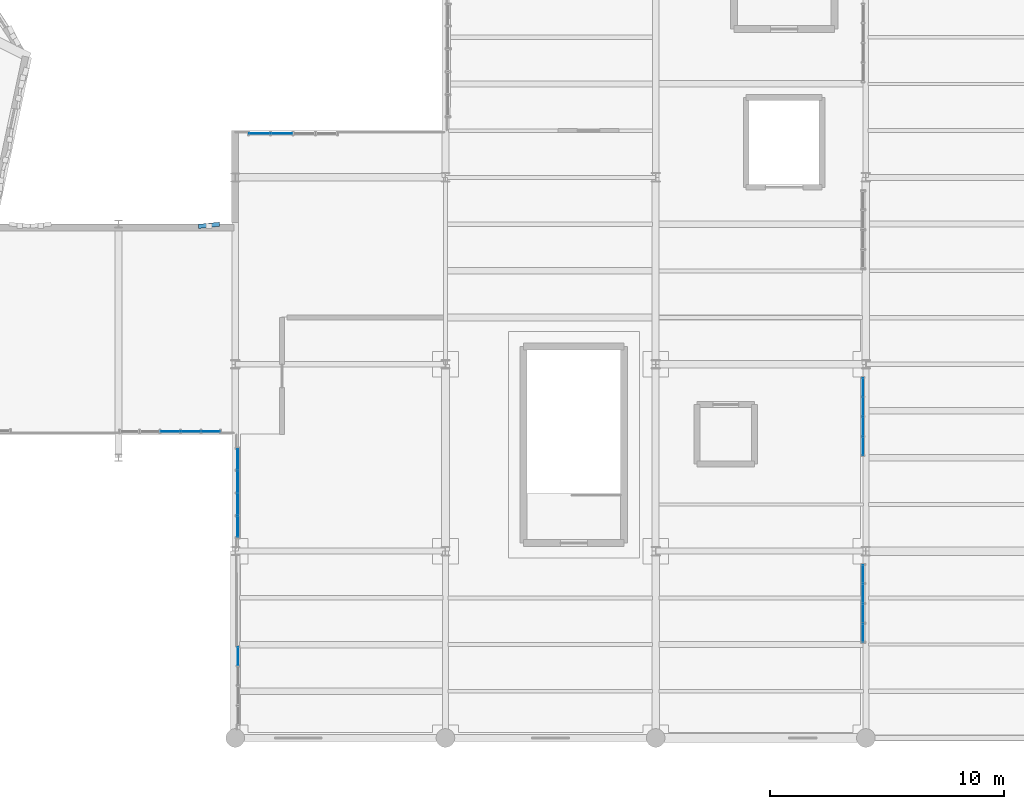
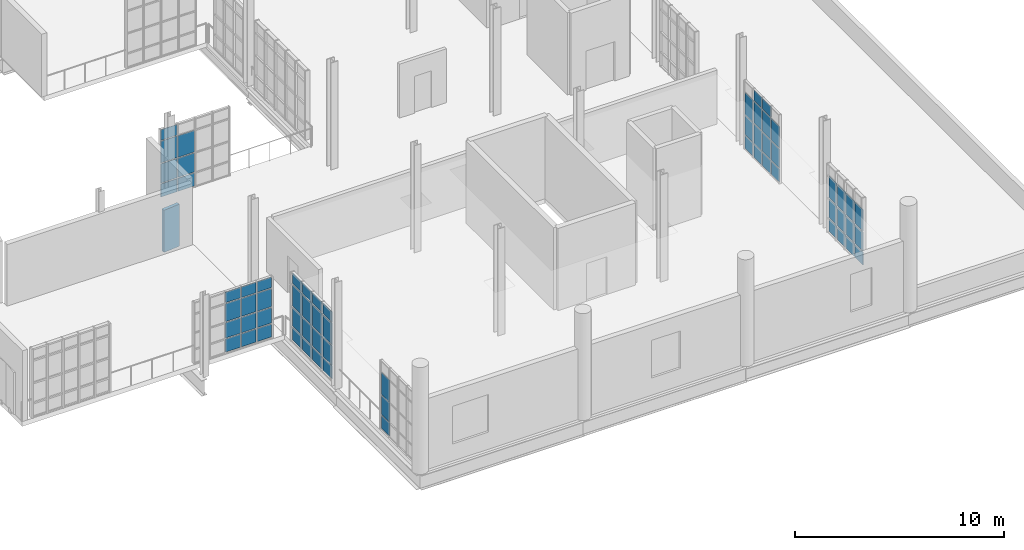
# One storey, part 90 of 118: 65 plates, 6 elements without a shape of their own.
"""IFC4 building model written with IfcOpenShell, lengths in metres."""

from ifc_helpers import new_model, si_unit, direction, frame, frame_2d, origin, origin_2d, place, context, subcontext, project, spatial, rectangle, extrude, material, layer, layer_set, type_object, element, aggregate, save


model = new_model("IFC4")

# Units and contexts
model_context = context("Model", 3, precision=1e-05, world=origin(), true_north=direction((0.0, 1.0)))
body_context = subcontext(model_context, "Body", "Model", "MODEL_VIEW")
ifc_project = project(units=[si_unit("LENGTHUNIT", "METRE"), si_unit("AREAUNIT", "SQUARE_METRE"), si_unit("VOLUMEUNIT", "CUBIC_METRE"), si_unit("PLANEANGLEUNIT", "RADIAN"), si_unit("MASSUNIT", "GRAM", prefix="KILO"), si_unit("THERMODYNAMICTEMPERATUREUNIT", "KELVIN"), si_unit("POWERUNIT", "WATT")], contexts=[model_context])

# Site, building, storey
site_placement = place(None, origin())
site = spatial("IfcSite", under=ifc_project, at=site_placement, CompositionType="ELEMENT")
building_placement = place(site_placement, origin())
building = spatial("IfcBuilding", under=site, at=building_placement, Name="Zelmaris Science Centre", CompositionType="ELEMENT")
storey_placement = place(building_placement, frame((0.0, 0.0, 15.60009765625)))
storey = spatial("IfcBuildingStorey", under=building, at=storey_placement, Name="L03", CompositionType="ELEMENT", Elevation=15.60009765625)

# Curtain wall, plates
ifc_material_1 = material(Name="Anodised architectural aluminium 6063-T6", Category="aluminium")
ifc_layer_1 = layer(ifc_material_1, 0.199951171875, Name="Anodised architectural aluminium 6063-T6")
ifc_layer_set_1 = layer_set([ifc_layer_1], Name="Anodised architectural aluminium 6063-T6")
curtain_wall_type_1 = type_object("IfcCurtainWallType", Name="Curtain Wall CW-02", PredefinedType="USERDEFINED", material=ifc_layer_set_1)
curtain_wall_1_placement = place(storey_placement, origin())
curtain_wall_1 = element("IfcCurtainWall", 1, at=curtain_wall_1_placement, inside=storey, type_object=curtain_wall_type_1, Name="L03 Unitised curtain wall 306", ObjectType="GLAZED CURTAIN WALL", PredefinedType="USERDEFINED")
ifc_material_2 = material(Name="Laminated hurricane-rated low-E insulated glazing", Category="glass")
ifc_layer_2 = layer(ifc_material_2, 0.028076171875, Name="Laminated hurricane-rated low-E insulated glazing")
ifc_layer_set_2 = layer_set([ifc_layer_2], Name="Laminated hurricane-rated low-E insulated glazing")
plate_type_1 = type_object("IfcPlateType", Name="Curtain Glazing Panel CWP-2 28mm", PredefinedType="CURTAIN_PANEL", material=ifc_layer_set_2)
plate_1_placement = place(storey_placement, frame((134.8798828125, 15.018310546875, 0.052001953125), z_axis=(0.0, 0.0, 1.0), x_axis=(0.0, -1.0, 0.0)))
plate_1 = element("IfcPlate", 2, at=plate_1_placement, type_object=plate_type_1, Name="CW-02 panel 1.1", PredefinedType="CURTAIN_PANEL", context=body_context, shape_type="SweptSolid", body=[
    extrude(rectangle(XDim=0.74951171875, YDim=0.028076171875, at=origin_2d()), origin(), (0.0, 0.0, 1.0), 0.74951171875),
])
plate_2_placement = place(storey_placement, frame((134.8798828125, 15.018310546875, 0.868408203125), z_axis=(0.0, 0.0, 1.0), x_axis=(0.0, -1.0, 0.0)))
plate_2 = element("IfcPlate", 3, at=plate_2_placement, type_object=plate_type_1, Name="CW-02 panel 1.2", PredefinedType="CURTAIN_PANEL", context=body_context, shape_type="SweptSolid", body=[
    extrude(rectangle(XDim=0.74951171875, YDim=0.028076171875, at=origin_2d()), origin(), (0.0, 0.0, 1.0), 1.10546875),
])
plate_3_placement = place(storey_placement, frame((134.8798828125, 15.018310546875, 2.041015625), z_axis=(0.0, 0.0, 1.0), x_axis=(0.0, -1.0, 0.0)))
plate_3 = element("IfcPlate", 4, at=plate_3_placement, type_object=plate_type_1, Name="CW-02 panel 1.3", PredefinedType="CURTAIN_PANEL", context=body_context, shape_type="SweptSolid", body=[
    extrude(rectangle(XDim=0.74951171875, YDim=0.028076171875, at=origin_2d()), origin(), (0.0, 0.0, 1.0), 1.255615234375),
])
plate_4_placement = place(storey_placement, frame((134.8798828125, 14.18505859375, 0.052001953125), z_axis=(0.0, 0.0, 1.0), x_axis=(0.0, -1.0, 0.0)))
plate_4 = element("IfcPlate", 5, at=plate_4_placement, type_object=plate_type_1, Name="CW-02 panel 2.1", PredefinedType="CURTAIN_PANEL", context=body_context, shape_type="SweptSolid", body=[
    extrude(rectangle(XDim=0.782958984375, YDim=0.028076171875, at=origin_2d()), origin(), (0.0, 0.0, 1.0), 0.74951171875),
])
plate_5_placement = place(storey_placement, frame((134.8798828125, 14.18505859375, 0.868408203125), z_axis=(0.0, 0.0, 1.0), x_axis=(0.0, -1.0, 0.0)))
plate_5 = element("IfcPlate", 6, at=plate_5_placement, type_object=plate_type_1, Name="CW-02 panel 2.2", PredefinedType="CURTAIN_PANEL", context=body_context, shape_type="SweptSolid", body=[
    extrude(rectangle(XDim=0.782958984375, YDim=0.028076171875, at=origin_2d()), origin(), (0.0, 0.0, 1.0), 1.10546875),
])
plate_6_placement = place(storey_placement, frame((134.8798828125, 14.18505859375, 2.041015625), z_axis=(0.0, 0.0, 1.0), x_axis=(0.0, -1.0, 0.0)))
plate_6 = element("IfcPlate", 7, at=plate_6_placement, type_object=plate_type_1, Name="CW-02 panel 2.3", PredefinedType="CURTAIN_PANEL", context=body_context, shape_type="SweptSolid", body=[
    extrude(rectangle(XDim=0.782958984375, YDim=0.028076171875, at=origin_2d()), origin(), (0.0, 0.0, 1.0), 1.255615234375),
])
plate_7_placement = place(storey_placement, frame((134.8798828125, 13.3349609375, 0.052001953125), z_axis=(0.0, 0.0, 1.0), x_axis=(0.0, -1.0, 0.0)))
plate_7 = element("IfcPlate", 8, at=plate_7_placement, type_object=plate_type_1, Name="CW-02 panel 3.1", PredefinedType="CURTAIN_PANEL", context=body_context, shape_type="SweptSolid", body=[
    extrude(rectangle(XDim=0.782958984375, YDim=0.028076171875, at=origin_2d()), origin(), (0.0, 0.0, 1.0), 0.74951171875),
])
plate_8_placement = place(storey_placement, frame((134.8798828125, 13.3349609375, 0.868408203125), z_axis=(0.0, 0.0, 1.0), x_axis=(0.0, -1.0, 0.0)))
plate_8 = element("IfcPlate", 9, at=plate_8_placement, type_object=plate_type_1, Name="CW-02 panel 3.2", PredefinedType="CURTAIN_PANEL", context=body_context, shape_type="SweptSolid", body=[
    extrude(rectangle(XDim=0.782958984375, YDim=0.028076171875, at=origin_2d()), origin(), (0.0, 0.0, 1.0), 1.10546875),
])
plate_9_placement = place(storey_placement, frame((134.8798828125, 13.3349609375, 2.041015625), z_axis=(0.0, 0.0, 1.0), x_axis=(0.0, -1.0, 0.0)))
plate_9 = element("IfcPlate", 10, at=plate_9_placement, type_object=plate_type_1, Name="CW-02 panel 3.3", PredefinedType="CURTAIN_PANEL", context=body_context, shape_type="SweptSolid", body=[
    extrude(rectangle(XDim=0.782958984375, YDim=0.028076171875, at=origin_2d()), origin(), (0.0, 0.0, 1.0), 1.255615234375),
])
plate_10_placement = place(storey_placement, frame((134.8798828125, 12.501708984375, 0.052001953125), z_axis=(0.0, 0.0, 1.0), x_axis=(0.0, -1.0, 0.0)))
plate_10 = element("IfcPlate", 11, at=plate_10_placement, type_object=plate_type_1, Name="CW-02 panel 4.1", PredefinedType="CURTAIN_PANEL", context=body_context, shape_type="SweptSolid", body=[
    extrude(rectangle(XDim=0.74951171875, YDim=0.028076171875, at=origin_2d()), origin(), (0.0, 0.0, 1.0), 0.74951171875),
])
plate_11_placement = place(storey_placement, frame((134.8798828125, 12.501708984375, 0.868408203125), z_axis=(0.0, 0.0, 1.0), x_axis=(0.0, -1.0, 0.0)))
plate_11 = element("IfcPlate", 12, at=plate_11_placement, type_object=plate_type_1, Name="CW-02 panel 4.2", PredefinedType="CURTAIN_PANEL", context=body_context, shape_type="SweptSolid", body=[
    extrude(rectangle(XDim=0.74951171875, YDim=0.028076171875, at=origin_2d()), origin(), (0.0, 0.0, 1.0), 1.10546875),
])
plate_12_placement = place(storey_placement, frame((134.8798828125, 12.501708984375, 2.041015625), z_axis=(0.0, 0.0, 1.0), x_axis=(0.0, -1.0, 0.0)))
plate_12 = element("IfcPlate", 13, at=plate_12_placement, type_object=plate_type_1, Name="CW-02 panel 4.3", PredefinedType="CURTAIN_PANEL", context=body_context, shape_type="SweptSolid", body=[
    extrude(rectangle(XDim=0.74951171875, YDim=0.028076171875, at=origin_2d()), origin(), (0.0, 0.0, 1.0), 1.255615234375),
])
aggregate(curtain_wall_1, [plate_1, plate_2, plate_3, plate_4, plate_5, plate_6, plate_7, plate_8, plate_9, plate_10, plate_11, plate_12])

curtain_wall_2_placement = place(storey_placement, origin())
curtain_wall_2 = element("IfcCurtainWall", 14, at=curtain_wall_2_placement, inside=storey, type_object=curtain_wall_type_1, Name="L03 Unitised curtain wall 310", ObjectType="GLAZED CURTAIN WALL", PredefinedType="USERDEFINED")
plate_13_placement = place(storey_placement, frame((108.110595703125, 17.044189453125, 0.052001953125), z_axis=(0.0, 0.0, 1.0), x_axis=(-0.001051793874, 0.999999446865, 0.0)))
plate_13 = element("IfcPlate", 15, at=plate_13_placement, type_object=plate_type_1, Name="CW-02 panel 1.1", PredefinedType="CURTAIN_PANEL", context=body_context, shape_type="SweptSolid", body=[
    extrude(rectangle(XDim=0.8740234375, YDim=0.028076171875, at=origin_2d()), origin(), (0.0, 0.0, 1.0), 0.74951171875),
])
plate_14_placement = place(storey_placement, frame((108.110595703125, 17.044189453125, 0.868408203125), z_axis=(0.0, 0.0, 1.0), x_axis=(-0.001051793874, 0.999999446865, 0.0)))
plate_14 = element("IfcPlate", 16, at=plate_14_placement, type_object=plate_type_1, Name="CW-02 panel 1.2", PredefinedType="CURTAIN_PANEL", context=body_context, shape_type="SweptSolid", body=[
    extrude(rectangle(XDim=0.8740234375, YDim=0.028076171875, at=origin_2d()), origin(), (0.0, 0.0, 1.0), 1.10546875),
])
plate_15_placement = place(storey_placement, frame((108.110595703125, 17.044189453125, 2.041015625), z_axis=(0.0, 0.0, 1.0), x_axis=(-0.001051793874, 0.999999446865, 0.0)))
plate_15 = element("IfcPlate", 17, at=plate_15_placement, type_object=plate_type_1, Name="CW-02 panel 1.3", PredefinedType="CURTAIN_PANEL", context=body_context, shape_type="SweptSolid", body=[
    extrude(rectangle(XDim=0.8740234375, YDim=0.028076171875, at=origin_2d()), origin(), (0.0, 0.0, 1.0), 1.255615234375),
])
plate_16_placement = place(storey_placement, frame((108.110595703125, 17.044189453125, 3.36328125), z_axis=(0.0, 0.0, 1.0), x_axis=(-0.001051793874, 0.999999446865, 0.0)))
plate_16 = element("IfcPlate", 18, at=plate_16_placement, type_object=plate_type_1, Name="CW-02 panel 1.4", PredefinedType="CURTAIN_PANEL", context=body_context, shape_type="SweptSolid", body=[
    extrude(rectangle(XDim=0.8740234375, YDim=0.028076171875, at=origin_2d()), origin(), (0.0, 0.0, 1.0), 0.599609375),
])
plate_17_placement = place(storey_placement, frame((108.109619140625, 18.001953125, 0.052001953125), z_axis=(0.0, 0.0, 1.0), x_axis=(-0.001051793874, 0.999999446865, 0.0)))
plate_17 = element("IfcPlate", 19, at=plate_17_placement, type_object=plate_type_1, Name="CW-02 panel 2.1", PredefinedType="CURTAIN_PANEL", context=body_context, shape_type="SweptSolid", body=[
    extrude(rectangle(XDim=0.907470703125, YDim=0.028076171875, at=origin_2d()), origin(), (0.0, 0.0, 1.0), 0.74951171875),
])
plate_18_placement = place(storey_placement, frame((108.109619140625, 18.001953125, 0.868408203125), z_axis=(0.0, 0.0, 1.0), x_axis=(-0.001051793874, 0.999999446865, 0.0)))
plate_18 = element("IfcPlate", 20, at=plate_18_placement, type_object=plate_type_1, Name="CW-02 panel 2.2", PredefinedType="CURTAIN_PANEL", context=body_context, shape_type="SweptSolid", body=[
    extrude(rectangle(XDim=0.907470703125, YDim=0.028076171875, at=origin_2d()), origin(), (0.0, 0.0, 1.0), 1.10546875),
])
plate_19_placement = place(storey_placement, frame((108.109619140625, 18.001953125, 2.041015625), z_axis=(0.0, 0.0, 1.0), x_axis=(-0.001051793874, 0.999999446865, 0.0)))
plate_19 = element("IfcPlate", 21, at=plate_19_placement, type_object=plate_type_1, Name="CW-02 panel 2.3", PredefinedType="CURTAIN_PANEL", context=body_context, shape_type="SweptSolid", body=[
    extrude(rectangle(XDim=0.907470703125, YDim=0.028076171875, at=origin_2d()), origin(), (0.0, 0.0, 1.0), 1.255615234375),
])
plate_20_placement = place(storey_placement, frame((108.109619140625, 18.001953125, 3.36328125), z_axis=(0.0, 0.0, 1.0), x_axis=(-0.001051793874, 0.999999446865, 0.0)))
plate_20 = element("IfcPlate", 22, at=plate_20_placement, type_object=plate_type_1, Name="CW-02 panel 2.4", PredefinedType="CURTAIN_PANEL", context=body_context, shape_type="SweptSolid", body=[
    extrude(rectangle(XDim=0.907470703125, YDim=0.028076171875, at=origin_2d()), origin(), (0.0, 0.0, 1.0), 0.599609375),
])
plate_21_placement = place(storey_placement, frame((108.108642578125, 18.976318359375, 0.052001953125), z_axis=(0.0, 0.0, 1.0), x_axis=(-0.001051793874, 0.999999446865, 0.0)))
plate_21 = element("IfcPlate", 23, at=plate_21_placement, type_object=plate_type_1, Name="CW-02 panel 3.1", PredefinedType="CURTAIN_PANEL", context=body_context, shape_type="SweptSolid", body=[
    extrude(rectangle(XDim=0.907470703125, YDim=0.028076171875, at=origin_2d()), origin(), (0.0, 0.0, 1.0), 0.74951171875),
])
plate_22_placement = place(storey_placement, frame((108.108642578125, 18.976318359375, 0.868408203125), z_axis=(0.0, 0.0, 1.0), x_axis=(-0.001051793874, 0.999999446865, 0.0)))
plate_22 = element("IfcPlate", 24, at=plate_22_placement, type_object=plate_type_1, Name="CW-02 panel 3.2", PredefinedType="CURTAIN_PANEL", context=body_context, shape_type="SweptSolid", body=[
    extrude(rectangle(XDim=0.907470703125, YDim=0.028076171875, at=origin_2d()), origin(), (0.0, 0.0, 1.0), 1.10546875),
])
plate_23_placement = place(storey_placement, frame((108.108642578125, 18.976318359375, 2.041015625), z_axis=(0.0, 0.0, 1.0), x_axis=(-0.001051793874, 0.999999446865, 0.0)))
plate_23 = element("IfcPlate", 25, at=plate_23_placement, type_object=plate_type_1, Name="CW-02 panel 3.3", PredefinedType="CURTAIN_PANEL", context=body_context, shape_type="SweptSolid", body=[
    extrude(rectangle(XDim=0.907470703125, YDim=0.028076171875, at=origin_2d()), origin(), (0.0, 0.0, 1.0), 1.255615234375),
])
plate_24_placement = place(storey_placement, frame((108.108642578125, 18.976318359375, 3.36328125), z_axis=(0.0, 0.0, 1.0), x_axis=(-0.001051793874, 0.999999446865, 0.0)))
plate_24 = element("IfcPlate", 26, at=plate_24_placement, type_object=plate_type_1, Name="CW-02 panel 3.4", PredefinedType="CURTAIN_PANEL", context=body_context, shape_type="SweptSolid", body=[
    extrude(rectangle(XDim=0.907470703125, YDim=0.028076171875, at=origin_2d()), origin(), (0.0, 0.0, 1.0), 0.599609375),
])
plate_25_placement = place(storey_placement, frame((108.107421875, 19.93408203125, 0.052001953125), z_axis=(0.0, 0.0, 1.0), x_axis=(-0.001051793874, 0.999999446865, 0.0)))
plate_25 = element("IfcPlate", 27, at=plate_25_placement, type_object=plate_type_1, Name="CW-02 panel 4.1", PredefinedType="CURTAIN_PANEL", context=body_context, shape_type="SweptSolid", body=[
    extrude(rectangle(XDim=0.8740234375, YDim=0.028076171875, at=origin_2d()), origin(), (0.0, 0.0, 1.0), 0.74951171875),
])
plate_26_placement = place(storey_placement, frame((108.107421875, 19.93408203125, 0.868408203125), z_axis=(0.0, 0.0, 1.0), x_axis=(-0.001051793874, 0.999999446865, 0.0)))
plate_26 = element("IfcPlate", 28, at=plate_26_placement, type_object=plate_type_1, Name="CW-02 panel 4.2", PredefinedType="CURTAIN_PANEL", context=body_context, shape_type="SweptSolid", body=[
    extrude(rectangle(XDim=0.8740234375, YDim=0.028076171875, at=origin_2d()), origin(), (0.0, 0.0, 1.0), 1.10546875),
])
plate_27_placement = place(storey_placement, frame((108.107421875, 19.93408203125, 2.041015625), z_axis=(0.0, 0.0, 1.0), x_axis=(-0.001051793874, 0.999999446865, 0.0)))
plate_27 = element("IfcPlate", 29, at=plate_27_placement, type_object=plate_type_1, Name="CW-02 panel 4.3", PredefinedType="CURTAIN_PANEL", context=body_context, shape_type="SweptSolid", body=[
    extrude(rectangle(XDim=0.8740234375, YDim=0.028076171875, at=origin_2d()), origin(), (0.0, 0.0, 1.0), 1.255615234375),
])
plate_28_placement = place(storey_placement, frame((108.107421875, 19.93408203125, 3.36328125), z_axis=(0.0, 0.0, 1.0), x_axis=(-0.001051793874, 0.999999446865, 0.0)))
plate_28 = element("IfcPlate", 30, at=plate_28_placement, type_object=plate_type_1, Name="CW-02 panel 4.4", PredefinedType="CURTAIN_PANEL", context=body_context, shape_type="SweptSolid", body=[
    extrude(rectangle(XDim=0.8740234375, YDim=0.028076171875, at=origin_2d()), origin(), (0.0, 0.0, 1.0), 0.599609375),
])
aggregate(curtain_wall_2, [plate_13, plate_14, plate_15, plate_16, plate_17, plate_18, plate_19, plate_20, plate_21, plate_22, plate_23, plate_24, plate_25, plate_26, plate_27, plate_28])

ifc_layer_3 = layer(ifc_material_1, 0.2099609375, Name="Anodised architectural aluminium 6063-T6")
ifc_layer_set_3 = layer_set([ifc_layer_3], Name="Anodised architectural aluminium 6063-T6")
curtain_wall_type_2 = type_object("IfcCurtainWallType", Name="Curtain Wall CW-03", PredefinedType="USERDEFINED", material=ifc_layer_set_3)
curtain_wall_3_placement = place(storey_placement, origin())
curtain_wall_3 = element("IfcCurtainWall", 31, at=curtain_wall_3_placement, inside=storey, type_object=curtain_wall_type_2, Name="L03 Unitised curtain wall 311", ObjectType="GLAZED CURTAIN WALL", PredefinedType="USERDEFINED")
ifc_layer_4 = layer(ifc_material_2, 0.02587890625, Name="Laminated hurricane-rated low-E insulated glazing")
ifc_layer_set_4 = layer_set([ifc_layer_4], Name="Laminated hurricane-rated low-E insulated glazing")
plate_type_2 = type_object("IfcPlateType", Name="Curtain Glazing Panel CWP-3 26mm", PredefinedType="CURTAIN_PANEL", material=ifc_layer_set_4)
plate_29_placement = place(storey_placement, frame((106.948486328125, 21.1201171875, 0.0419921875), z_axis=(0.0, 0.0, 1.0), x_axis=(-1.0, 0.0, 0.0)))
plate_29 = element("IfcPlate", 32, at=plate_29_placement, type_object=plate_type_2, Name="CW-03 panel 1.1", PredefinedType="CURTAIN_PANEL", context=body_context, shape_type="SweptSolid", body=[
    extrude(rectangle(XDim=0.7890625, YDim=0.02587890625, at=origin_2d()), origin(), (0.0, 0.0, 1.0), 0.764404296875),
])
plate_30_placement = place(storey_placement, frame((106.948486328125, 21.1201171875, 0.863525390625), z_axis=(0.0, 0.0, 1.0), x_axis=(-1.0, 0.0, 0.0)))
plate_30 = element("IfcPlate", 33, at=plate_30_placement, type_object=plate_type_2, Name="CW-03 panel 1.2", PredefinedType="CURTAIN_PANEL", context=body_context, shape_type="SweptSolid", body=[
    extrude(rectangle(XDim=0.7890625, YDim=0.02587890625, at=origin_2d()), origin(), (0.0, 0.0, 1.0), 0.90087890625),
])
plate_31_placement = place(storey_placement, frame((106.948486328125, 21.1201171875, 1.8212890625), z_axis=(0.0, 0.0, 1.0), x_axis=(-1.0, 0.0, 0.0)))
plate_31 = element("IfcPlate", 34, at=plate_31_placement, type_object=plate_type_2, Name="CW-03 panel 1.3", PredefinedType="CURTAIN_PANEL", context=body_context, shape_type="SweptSolid", body=[
    extrude(rectangle(XDim=0.7890625, YDim=0.02587890625, at=origin_2d()), origin(), (0.0, 0.0, 1.0), 1.051025390625),
])
plate_32_placement = place(storey_placement, frame((106.948486328125, 21.1201171875, 2.92919921875), z_axis=(0.0, 0.0, 1.0), x_axis=(-1.0, 0.0, 0.0)))
plate_32 = element("IfcPlate", 35, at=plate_32_placement, type_object=plate_type_2, Name="CW-03 panel 1.4", PredefinedType="CURTAIN_PANEL", context=body_context, shape_type="SweptSolid", body=[
    extrude(rectangle(XDim=0.7890625, YDim=0.02587890625, at=origin_2d()), origin(), (0.0, 0.0, 1.0), 0.614501953125),
])
plate_33_placement = place(storey_placement, frame((106.087890625, 21.1201171875, 0.0419921875), z_axis=(0.0, 0.0, 1.0), x_axis=(-1.0, 0.0, 0.0)))
plate_33 = element("IfcPlate", 36, at=plate_33_placement, type_object=plate_type_2, Name="CW-03 panel 2.1", PredefinedType="CURTAIN_PANEL", context=body_context, shape_type="SweptSolid", body=[
    extrude(rectangle(XDim=0.817626953125, YDim=0.02587890625, at=origin_2d()), origin(), (0.0, 0.0, 1.0), 0.764404296875),
])
plate_34_placement = place(storey_placement, frame((106.087890625, 21.1201171875, 0.863525390625), z_axis=(0.0, 0.0, 1.0), x_axis=(-1.0, 0.0, 0.0)))
plate_34 = element("IfcPlate", 37, at=plate_34_placement, type_object=plate_type_2, Name="CW-03 panel 2.2", PredefinedType="CURTAIN_PANEL", context=body_context, shape_type="SweptSolid", body=[
    extrude(rectangle(XDim=0.817626953125, YDim=0.02587890625, at=origin_2d()), origin(), (0.0, 0.0, 1.0), 0.90087890625),
])
plate_35_placement = place(storey_placement, frame((106.087890625, 21.1201171875, 1.8212890625), z_axis=(0.0, 0.0, 1.0), x_axis=(-1.0, 0.0, 0.0)))
plate_35 = element("IfcPlate", 38, at=plate_35_placement, type_object=plate_type_2, Name="CW-03 panel 2.3", PredefinedType="CURTAIN_PANEL", context=body_context, shape_type="SweptSolid", body=[
    extrude(rectangle(XDim=0.817626953125, YDim=0.02587890625, at=origin_2d()), origin(), (0.0, 0.0, 1.0), 1.051025390625),
])
plate_36_placement = place(storey_placement, frame((106.087890625, 21.1201171875, 2.92919921875), z_axis=(0.0, 0.0, 1.0), x_axis=(-1.0, 0.0, 0.0)))
plate_36 = element("IfcPlate", 39, at=plate_36_placement, type_object=plate_type_2, Name="CW-03 panel 2.4", PredefinedType="CURTAIN_PANEL", context=body_context, shape_type="SweptSolid", body=[
    extrude(rectangle(XDim=0.817626953125, YDim=0.02587890625, at=origin_2d()), origin(), (0.0, 0.0, 1.0), 0.614501953125),
])
plate_37_placement = place(storey_placement, frame((105.21337890625, 21.1201171875, 0.0419921875), z_axis=(0.0, 0.0, 1.0), x_axis=(-1.0, 0.0, 0.0)))
plate_37 = element("IfcPlate", 40, at=plate_37_placement, type_object=plate_type_2, Name="CW-03 panel 3.1", PredefinedType="CURTAIN_PANEL", context=body_context, shape_type="SweptSolid", body=[
    extrude(rectangle(XDim=0.817626953125, YDim=0.02587890625, at=origin_2d()), origin(), (0.0, 0.0, 1.0), 0.764404296875),
])
plate_38_placement = place(storey_placement, frame((105.21337890625, 21.1201171875, 0.863525390625), z_axis=(0.0, 0.0, 1.0), x_axis=(-1.0, 0.0, 0.0)))
plate_38 = element("IfcPlate", 41, at=plate_38_placement, type_object=plate_type_2, Name="CW-03 panel 3.2", PredefinedType="CURTAIN_PANEL", context=body_context, shape_type="SweptSolid", body=[
    extrude(rectangle(XDim=0.817626953125, YDim=0.02587890625, at=origin_2d()), origin(), (0.0, 0.0, 1.0), 0.90087890625),
])
plate_39_placement = place(storey_placement, frame((105.21337890625, 21.1201171875, 1.8212890625), z_axis=(0.0, 0.0, 1.0), x_axis=(-1.0, 0.0, 0.0)))
plate_39 = element("IfcPlate", 42, at=plate_39_placement, type_object=plate_type_2, Name="CW-03 panel 3.3", PredefinedType="CURTAIN_PANEL", context=body_context, shape_type="SweptSolid", body=[
    extrude(rectangle(XDim=0.817626953125, YDim=0.02587890625, at=origin_2d()), origin(), (0.0, 0.0, 1.0), 1.051025390625),
])
plate_40_placement = place(storey_placement, frame((105.21337890625, 21.1201171875, 2.92919921875), z_axis=(0.0, 0.0, 1.0), x_axis=(-1.0, 0.0, 0.0)))
plate_40 = element("IfcPlate", 43, at=plate_40_placement, type_object=plate_type_2, Name="CW-03 panel 3.4", PredefinedType="CURTAIN_PANEL", context=body_context, shape_type="SweptSolid", body=[
    extrude(rectangle(XDim=0.817626953125, YDim=0.02587890625, at=origin_2d()), origin(), (0.0, 0.0, 1.0), 0.614501953125),
])
aggregate(curtain_wall_3, [plate_29, plate_30, plate_31, plate_32, plate_33, plate_34, plate_35, plate_36, plate_37, plate_38, plate_39, plate_40])

curtain_wall_4_placement = place(storey_placement, origin())
curtain_wall_4 = element("IfcCurtainWall", 44, at=curtain_wall_4_placement, inside=storey, type_object=curtain_wall_type_2, Name="L03 Unitised curtain wall 323", ObjectType="GLAZED CURTAIN WALL", PredefinedType="USERDEFINED")
plate_41_placement = place(storey_placement, frame((109.0380859375, 33.8798828125, 0.0419921875), z_axis=(0.0, 0.0, 1.0), x_axis=(0.999999999666, 2.5840455e-05, 0.0)))
plate_41 = element("IfcPlate", 45, at=plate_41_placement, type_object=plate_type_2, Name="CW-03 panel 1.1", PredefinedType="CURTAIN_PANEL", context=body_context, shape_type="SweptSolid", body=[
    extrude(rectangle(XDim=0.882080078125, YDim=0.02587890625, at=origin_2d()), origin(), (0.0, 0.0, 1.0), 0.764404296875),
])
plate_42_placement = place(storey_placement, frame((109.0380859375, 33.8798828125, 0.86328125), z_axis=(0.0, 0.0, 1.0), x_axis=(0.999999999666, 2.5840455e-05, 0.0)))
plate_42 = element("IfcPlate", 46, at=plate_42_placement, type_object=plate_type_2, Name="CW-03 panel 1.2", PredefinedType="CURTAIN_PANEL", context=body_context, shape_type="SweptSolid", body=[
    extrude(rectangle(XDim=0.882080078125, YDim=0.02587890625, at=origin_2d()), origin(), (0.0, 0.0, 1.0), 1.115478515625),
])
plate_43_placement = place(storey_placement, frame((109.0380859375, 33.8798828125, 2.0361328125), z_axis=(0.0, 0.0, 1.0), x_axis=(0.999999999666, 2.5840455e-05, 0.0)))
plate_43 = element("IfcPlate", 47, at=plate_43_placement, type_object=plate_type_2, Name="CW-03 panel 1.3", PredefinedType="CURTAIN_PANEL", context=body_context, shape_type="SweptSolid", body=[
    extrude(rectangle(XDim=0.882080078125, YDim=0.02587890625, at=origin_2d()), origin(), (0.0, 0.0, 1.0), 1.265380859375),
])
plate_44_placement = place(storey_placement, frame((109.0380859375, 33.8798828125, 3.3583984375), z_axis=(0.0, 0.0, 1.0), x_axis=(0.999999999666, 2.5840455e-05, 0.0)))
plate_44 = element("IfcPlate", 48, at=plate_44_placement, type_object=plate_type_2, Name="CW-03 panel 1.4", PredefinedType="CURTAIN_PANEL", context=body_context, shape_type="SweptSolid", body=[
    extrude(rectangle(XDim=0.882080078125, YDim=0.02587890625, at=origin_2d()), origin(), (0.0, 0.0, 1.0), 0.614501953125),
])
plate_45_placement = place(storey_placement, frame((109.9912109375, 33.8798828125, 0.0419921875), z_axis=(0.0, 0.0, 1.0), x_axis=(0.999999999666, 2.5840455e-05, 0.0)))
plate_45 = element("IfcPlate", 49, at=plate_45_placement, type_object=plate_type_2, Name="CW-03 panel 2.1", PredefinedType="CURTAIN_PANEL", context=body_context, shape_type="SweptSolid", body=[
    extrude(rectangle(XDim=0.910400390625, YDim=0.02587890625, at=origin_2d()), origin(), (0.0, 0.0, 1.0), 0.764404296875),
])
plate_46_placement = place(storey_placement, frame((109.9912109375, 33.8798828125, 0.86328125), z_axis=(0.0, 0.0, 1.0), x_axis=(0.999999999666, 2.5840455e-05, 0.0)))
plate_46 = element("IfcPlate", 50, at=plate_46_placement, type_object=plate_type_2, Name="CW-03 panel 2.2", PredefinedType="CURTAIN_PANEL", context=body_context, shape_type="SweptSolid", body=[
    extrude(rectangle(XDim=0.910400390625, YDim=0.02587890625, at=origin_2d()), origin(), (0.0, 0.0, 1.0), 1.115478515625),
])
plate_47_placement = place(storey_placement, frame((109.9912109375, 33.8798828125, 2.0361328125), z_axis=(0.0, 0.0, 1.0), x_axis=(0.999999999666, 2.5840455e-05, 0.0)))
plate_47 = element("IfcPlate", 51, at=plate_47_placement, type_object=plate_type_2, Name="CW-03 panel 2.3", PredefinedType="CURTAIN_PANEL", context=body_context, shape_type="SweptSolid", body=[
    extrude(rectangle(XDim=0.910400390625, YDim=0.02587890625, at=origin_2d()), origin(), (0.0, 0.0, 1.0), 1.265380859375),
])
aggregate(curtain_wall_4, [plate_41, plate_42, plate_43, plate_44, plate_45, plate_46, plate_47])

ifc_layer_5 = layer(ifc_material_1, 0.219970703125, Name="Anodised architectural aluminium 6063-T6")
ifc_layer_set_5 = layer_set([ifc_layer_5], Name="Anodised architectural aluminium 6063-T6")
curtain_wall_type_3 = type_object("IfcCurtainWallType", Name="Curtain Wall CW-04", PredefinedType="USERDEFINED", material=ifc_layer_set_5)
curtain_wall_5_placement = place(storey_placement, origin())
curtain_wall_5 = element("IfcCurtainWall", 52, at=curtain_wall_5_placement, inside=storey, type_object=curtain_wall_type_3, Name="L03 Unitised curtain wall 304", ObjectType="GLAZED CURTAIN WALL", PredefinedType="USERDEFINED")
ifc_layer_6 = layer(ifc_material_2, 0.02392578125, Name="Laminated hurricane-rated low-E insulated glazing")
ifc_layer_set_6 = layer_set([ifc_layer_6], Name="Laminated hurricane-rated low-E insulated glazing")
plate_type_3 = type_object("IfcPlateType", Name="Curtain Glazing Panel CWP-4 24mm", PredefinedType="CURTAIN_PANEL", material=ifc_layer_set_6)
plate_48_placement = place(storey_placement, frame((134.8798828125, 23.02197265625, 0.036865234375), z_axis=(0.0, 0.0, 1.0), x_axis=(0.0, -1.0, 0.0)))
plate_48 = element("IfcPlate", 53, at=plate_48_placement, type_object=plate_type_3, Name="CW-04 panel 1.1", PredefinedType="CURTAIN_PANEL", context=body_context, shape_type="SweptSolid", body=[
    extrude(rectangle(XDim=0.77197265625, YDim=0.02392578125, at=origin_2d()), origin(), (0.0, 0.0, 1.0), 0.77197265625),
])
plate_49_placement = place(storey_placement, frame((134.8798828125, 23.02197265625, 0.86083984375), z_axis=(0.0, 0.0, 1.0), x_axis=(0.0, -1.0, 0.0)))
plate_49 = element("IfcPlate", 54, at=plate_49_placement, type_object=plate_type_3, Name="CW-04 panel 1.2", PredefinedType="CURTAIN_PANEL", context=body_context, shape_type="SweptSolid", body=[
    extrude(rectangle(XDim=0.77197265625, YDim=0.02392578125, at=origin_2d()), origin(), (0.0, 0.0, 1.0), 1.12060546875),
])
plate_50_placement = place(storey_placement, frame((134.8798828125, 23.02197265625, 2.033447265625), z_axis=(0.0, 0.0, 1.0), x_axis=(0.0, -1.0, 0.0)))
plate_50 = element("IfcPlate", 55, at=plate_50_placement, type_object=plate_type_3, Name="CW-04 panel 1.3", PredefinedType="CURTAIN_PANEL", context=body_context, shape_type="SweptSolid", body=[
    extrude(rectangle(XDim=0.77197265625, YDim=0.02392578125, at=origin_2d()), origin(), (0.0, 0.0, 1.0), 1.2705078125),
])
plate_51_placement = place(storey_placement, frame((134.8798828125, 22.18505859375, 0.036865234375), z_axis=(0.0, 0.0, 1.0), x_axis=(0.0, -1.0, 0.0)))
plate_51 = element("IfcPlate", 56, at=plate_51_placement, type_object=plate_type_3, Name="CW-04 panel 2.1", PredefinedType="CURTAIN_PANEL", context=body_context, shape_type="SweptSolid", body=[
    extrude(rectangle(XDim=0.798095703125, YDim=0.02392578125, at=origin_2d()), origin(), (0.0, 0.0, 1.0), 0.77197265625),
])
plate_52_placement = place(storey_placement, frame((134.8798828125, 22.18505859375, 0.86083984375), z_axis=(0.0, 0.0, 1.0), x_axis=(0.0, -1.0, 0.0)))
plate_52 = element("IfcPlate", 57, at=plate_52_placement, type_object=plate_type_3, Name="CW-04 panel 2.2", PredefinedType="CURTAIN_PANEL", context=body_context, shape_type="SweptSolid", body=[
    extrude(rectangle(XDim=0.798095703125, YDim=0.02392578125, at=origin_2d()), origin(), (0.0, 0.0, 1.0), 1.12060546875),
])
plate_53_placement = place(storey_placement, frame((134.8798828125, 22.18505859375, 2.033447265625), z_axis=(0.0, 0.0, 1.0), x_axis=(0.0, -1.0, 0.0)))
plate_53 = element("IfcPlate", 58, at=plate_53_placement, type_object=plate_type_3, Name="CW-04 panel 2.3", PredefinedType="CURTAIN_PANEL", context=body_context, shape_type="SweptSolid", body=[
    extrude(rectangle(XDim=0.798095703125, YDim=0.02392578125, at=origin_2d()), origin(), (0.0, 0.0, 1.0), 1.2705078125),
])
plate_54_placement = place(storey_placement, frame((134.8798828125, 22.18505859375, 3.35595703125), z_axis=(0.0, 0.0, 1.0), x_axis=(0.0, -1.0, 0.0)))
plate_54 = element("IfcPlate", 59, at=plate_54_placement, type_object=plate_type_3, Name="CW-04 panel 2.4", PredefinedType="CURTAIN_PANEL", context=body_context, shape_type="SweptSolid", body=[
    extrude(rectangle(XDim=0.798095703125, YDim=0.02392578125, at=origin_2d()), origin(), (0.0, 0.0, 1.0), 0.6220703125),
])
plate_55_placement = place(storey_placement, frame((134.8798828125, 21.3349609375, 0.036865234375), z_axis=(0.0, 0.0, 1.0), x_axis=(0.0, -1.0, 0.0)))
plate_55 = element("IfcPlate", 60, at=plate_55_placement, type_object=plate_type_3, Name="CW-04 panel 3.1", PredefinedType="CURTAIN_PANEL", context=body_context, shape_type="SweptSolid", body=[
    extrude(rectangle(XDim=0.798095703125, YDim=0.02392578125, at=origin_2d()), origin(), (0.0, 0.0, 1.0), 0.77197265625),
])
plate_56_placement = place(storey_placement, frame((134.8798828125, 21.3349609375, 0.86083984375), z_axis=(0.0, 0.0, 1.0), x_axis=(0.0, -1.0, 0.0)))
plate_56 = element("IfcPlate", 61, at=plate_56_placement, type_object=plate_type_3, Name="CW-04 panel 3.2", PredefinedType="CURTAIN_PANEL", context=body_context, shape_type="SweptSolid", body=[
    extrude(rectangle(XDim=0.798095703125, YDim=0.02392578125, at=origin_2d()), origin(), (0.0, 0.0, 1.0), 1.12060546875),
])
plate_57_placement = place(storey_placement, frame((134.8798828125, 21.3349609375, 2.033447265625), z_axis=(0.0, 0.0, 1.0), x_axis=(0.0, -1.0, 0.0)))
plate_57 = element("IfcPlate", 62, at=plate_57_placement, type_object=plate_type_3, Name="CW-04 panel 3.3", PredefinedType="CURTAIN_PANEL", context=body_context, shape_type="SweptSolid", body=[
    extrude(rectangle(XDim=0.798095703125, YDim=0.02392578125, at=origin_2d()), origin(), (0.0, 0.0, 1.0), 1.2705078125),
])
plate_58_placement = place(storey_placement, frame((134.8798828125, 21.3349609375, 3.35595703125), z_axis=(0.0, 0.0, 1.0), x_axis=(0.0, -1.0, 0.0)))
plate_58 = element("IfcPlate", 63, at=plate_58_placement, type_object=plate_type_3, Name="CW-04 panel 3.4", PredefinedType="CURTAIN_PANEL", context=body_context, shape_type="SweptSolid", body=[
    extrude(rectangle(XDim=0.798095703125, YDim=0.02392578125, at=origin_2d()), origin(), (0.0, 0.0, 1.0), 0.6220703125),
])
plate_59_placement = place(storey_placement, frame((134.8798828125, 20.498046875, 0.036865234375), z_axis=(0.0, 0.0, 1.0), x_axis=(0.0, -1.0, 0.0)))
plate_59 = element("IfcPlate", 64, at=plate_59_placement, type_object=plate_type_3, Name="CW-04 panel 4.1", PredefinedType="CURTAIN_PANEL", context=body_context, shape_type="SweptSolid", body=[
    extrude(rectangle(XDim=0.77197265625, YDim=0.02392578125, at=origin_2d()), origin(), (0.0, 0.0, 1.0), 0.77197265625),
])
plate_60_placement = place(storey_placement, frame((134.8798828125, 20.498046875, 0.86083984375), z_axis=(0.0, 0.0, 1.0), x_axis=(0.0, -1.0, 0.0)))
plate_60 = element("IfcPlate", 65, at=plate_60_placement, type_object=plate_type_3, Name="CW-04 panel 4.2", PredefinedType="CURTAIN_PANEL", context=body_context, shape_type="SweptSolid", body=[
    extrude(rectangle(XDim=0.77197265625, YDim=0.02392578125, at=origin_2d()), origin(), (0.0, 0.0, 1.0), 1.12060546875),
])
plate_61_placement = place(storey_placement, frame((134.8798828125, 20.498046875, 2.033447265625), z_axis=(0.0, 0.0, 1.0), x_axis=(0.0, -1.0, 0.0)))
plate_61 = element("IfcPlate", 66, at=plate_61_placement, type_object=plate_type_3, Name="CW-04 panel 4.3", PredefinedType="CURTAIN_PANEL", context=body_context, shape_type="SweptSolid", body=[
    extrude(rectangle(XDim=0.77197265625, YDim=0.02392578125, at=origin_2d()), origin(), (0.0, 0.0, 1.0), 1.2705078125),
])
aggregate(curtain_wall_5, [plate_48, plate_49, plate_50, plate_51, plate_52, plate_53, plate_54, plate_55, plate_56, plate_57, plate_58, plate_59, plate_60, plate_61])

curtain_wall_6_placement = place(storey_placement, origin())
curtain_wall_6 = element("IfcCurtainWall", 67, at=curtain_wall_6_placement, inside=storey, type_object=curtain_wall_type_3, Name="L03 Unitised curtain wall 308", ObjectType="GLAZED CURTAIN WALL", PredefinedType="USERDEFINED")
plate_62_placement = place(storey_placement, frame((108.116455078125, 11.502197265625, 0.036865234375), z_axis=(0.0, 0.0, 1.0), x_axis=(-0.001058854076, 0.999999439414, 0.0)))
plate_62 = element("IfcPlate", 68, at=plate_62_placement, type_object=plate_type_3, Name="CW-04 panel 4.1", PredefinedType="CURTAIN_PANEL", context=body_context, shape_type="SweptSolid", body=[
    extrude(rectangle(XDim=0.77197265625, YDim=0.02392578125, at=origin_2d()), origin(), (0.0, 0.0, 1.0), 0.77197265625),
])
plate_63_placement = place(storey_placement, frame((108.116455078125, 11.502197265625, 0.86083984375), z_axis=(0.0, 0.0, 1.0), x_axis=(-0.001058854076, 0.999999439414, 0.0)))
plate_63 = element("IfcPlate", 69, at=plate_63_placement, type_object=plate_type_3, Name="CW-04 panel 4.2", PredefinedType="CURTAIN_PANEL", context=body_context, shape_type="SweptSolid", body=[
    extrude(rectangle(XDim=0.77197265625, YDim=0.02392578125, at=origin_2d()), origin(), (0.0, 0.0, 1.0), 1.12060546875),
])
plate_64_placement = place(storey_placement, frame((108.116455078125, 11.502197265625, 2.033447265625), z_axis=(0.0, 0.0, 1.0), x_axis=(-0.001058854076, 0.999999439414, 0.0)))
plate_64 = element("IfcPlate", 70, at=plate_64_placement, type_object=plate_type_3, Name="CW-04 panel 4.3", PredefinedType="CURTAIN_PANEL", context=body_context, shape_type="SweptSolid", body=[
    extrude(rectangle(XDim=0.77197265625, YDim=0.02392578125, at=origin_2d()), origin(), (0.0, 0.0, 1.0), 1.2705078125),
])
aggregate(curtain_wall_6, [plate_62, plate_63, plate_64])

# Plate
ifc_material_3 = material(Name="Precast concrete C40/50", Category="concrete")
ifc_layer_7 = layer(ifc_material_3, 0.179931640625, Name="Precast concrete C40/50")
ifc_layer_set_7 = layer_set([ifc_layer_7], Name="Precast concrete C40/50")
plate_type_4 = type_object("IfcPlateType", Name="Precast Facet Panel FP-08 180mm", PredefinedType="SHEET", material=ifc_layer_set_7)
plate_65_placement = place(storey_placement, frame((106.427001953125, 29.902587890625, 0.02001953125), z_axis=(0.0, 0.0, 1.0), x_axis=(0.994945909262, 0.100412338102, 0.0)))
element("IfcPlate", 71, at=plate_65_placement, inside=storey, type_object=plate_type_4, Name="L03 Folded precast facet panel 163", PredefinedType="SHEET", context=body_context, shape_type="SweptSolid", body=[
    extrude(rectangle(XDim=0.904541015625, YDim=0.179931640625, at=frame_2d((0.4521484375, 0.0))), origin(), (0.0, 0.0, 1.0), 2.4599609375),
])

save(model, "model.ifc")
